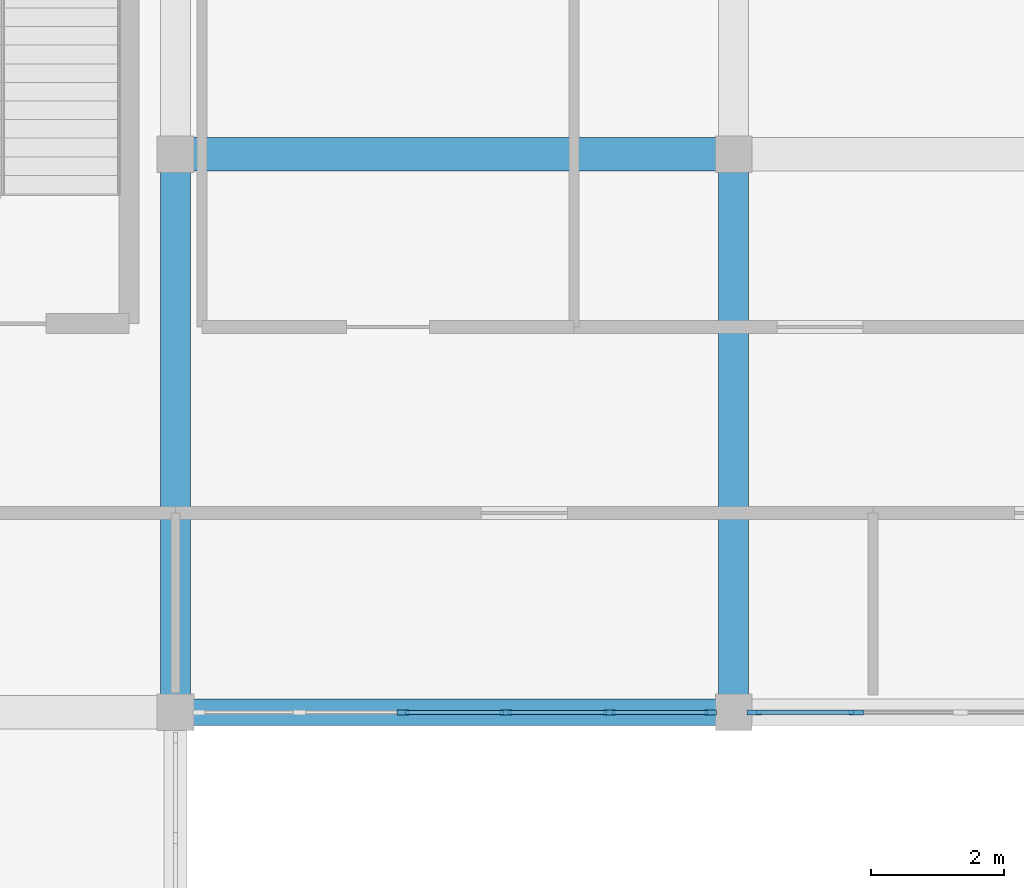
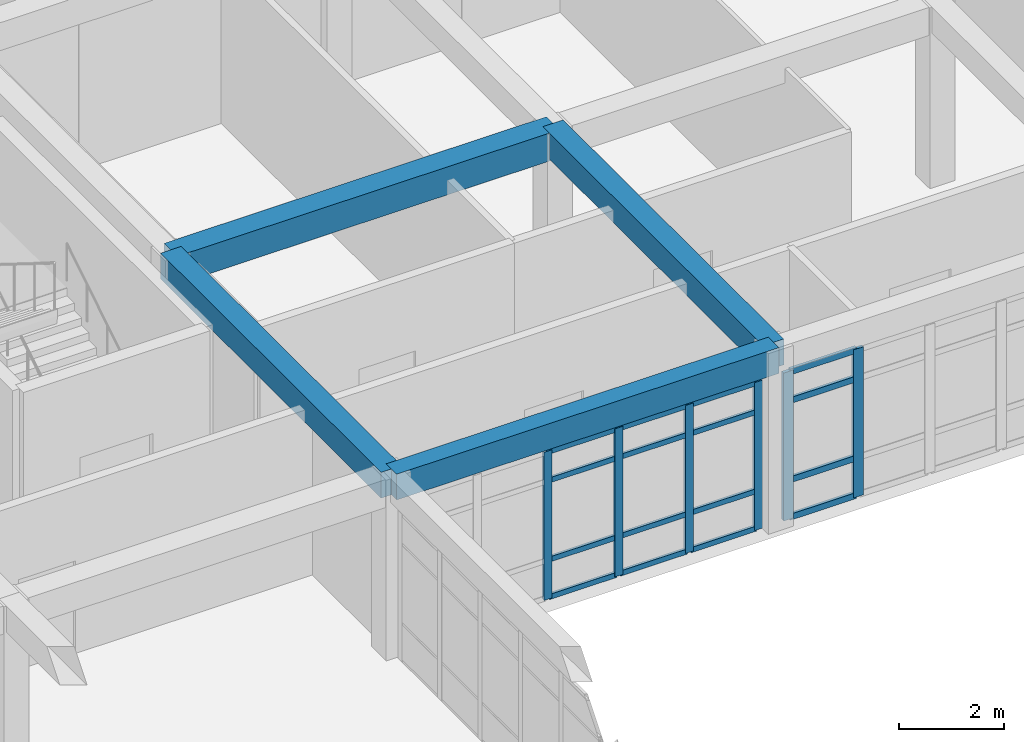
# One storey, part 19 of 77: 22 members, 4 beams, 2 elements without a shape of their own.
"""IFC4 building model written with IfcOpenShell, lengths in metres."""

from ifc_helpers import new_model, si_unit, direction, frame, origin, origin_2d, place, context, subcontext, project, spatial, rectangle, extrude, material, material_profile, profile_set, type_object, element, aggregate, save


model = new_model("IFC4")

# Units and contexts
model_context = context("Model", 3, precision=1e-05, world=origin(), true_north=direction((0.0, 1.0)))
body_context = subcontext(model_context, "Body", "Model", "MODEL_VIEW")
ifc_project = project(units=[si_unit("LENGTHUNIT", "METRE"), si_unit("AREAUNIT", "SQUARE_METRE"), si_unit("VOLUMEUNIT", "CUBIC_METRE"), si_unit("PLANEANGLEUNIT", "RADIAN"), si_unit("MASSUNIT", "GRAM", prefix="KILO")], contexts=[model_context])

# Site, building, storey
site_placement = place(None, origin())
site = spatial("IfcSite", under=ifc_project, at=site_placement, CompositionType="ELEMENT")
building_placement = place(site_placement, origin())
building = spatial("IfcBuilding", under=site, at=building_placement, Name="Varncliffe General Hospital", CompositionType="ELEMENT")
storey_placement = place(building_placement, frame((0.0, 0.0, 16.199951171875)))
storey = spatial("IfcBuildingStorey", under=building, at=storey_placement, Name="L03", CompositionType="ELEMENT", Elevation=16.199951171875)

# Beams
ifc_material_1 = material(Name="Concrete C35/45 (CSA A23.1 35 MPa)", Category="concrete")
ifc_material_profile_1 = material_profile(ifc_material_1, rectangle(XDim=0.5, YDim=0.64990234375, at=origin_2d()), Name="RC 500x650")
ifc_profile_set_1 = profile_set([ifc_material_profile_1], Name="Concrete C35/45 (CSA A23.1 35 MPa)")
beam_type_1 = type_object("IfcBeamType", Name="Beam B29 (Int RC 500x650)", PredefinedType="BEAM", material=ifc_profile_set_1)
beam_1_placement = place(storey_placement, frame((117.60009765625, 91.199951171875, 3.875), z_axis=(1.0, 0.0, 0.0), x_axis=(0.0, 1.0, 0.0)))
element("IfcBeam", 1, at=beam_1_placement, inside=storey, type_object=beam_type_1, Name="L03 Primary Beam B29-98", PredefinedType="BEAM", context=body_context, shape_type="SweptSolid", body=[
    extrude(rectangle(XDim=0.5, YDim=0.64990234375, at=origin_2d()), origin(), (0.0, 0.0, 1.0), 8.39990234375),
])
ifc_material_profile_2 = material_profile(ifc_material_1, rectangle(XDim=0.449951171875, YDim=0.60009765625, at=origin_2d()), Name="RC 450x600")
ifc_profile_set_2 = profile_set([ifc_material_profile_2], Name="Concrete C35/45 (CSA A23.1 35 MPa)")
beam_type_2 = type_object("IfcBeamType", Name="Beam B47 (Int RC 450x600)", PredefinedType="BEAM", material=ifc_profile_set_2)
for number, where, z_axis, x_axis, name in (
    (2, (117.60009765625, 82.800048828125, 3.900146484375), (0.0, 1.0, 0.0), (-1.0, 0.0, 0.0), "L03 Primary Beam B47-329"),
    (3, (126.0, 82.800048828125, 3.900146484375), (0.0, 1.0, 0.0), (-1.0, 0.0, 0.0), "L03 Primary Beam B47-338"),
):
    element("IfcBeam", number, at=place(storey_placement, frame(where, z_axis=z_axis, x_axis=x_axis)), inside=storey, type_object=beam_type_2, Name=name, PredefinedType="BEAM", context=body_context, shape_type="SweptSolid", body=[
        extrude(rectangle(XDim=0.449951171875, YDim=0.60009765625, at=origin_2d()), origin(), (0.0, 0.0, 1.0), 8.39990234375),
    ])

# Curtain wall, members
ifc_material_2 = material(Name="Triple low-E argon insulated vision glazing", Category="glass")
curtain_wall_type_1 = type_object("IfcCurtainWallType", Name="Unitised Glazed Curtain Wall CW23 (7774x3440)", PredefinedType="USERDEFINED", material=ifc_material_2)
curtain_wall_1_placement = place(storey_placement, origin())
curtain_wall_1 = element("IfcCurtainWall", 4, at=curtain_wall_1_placement, inside=storey, type_object=curtain_wall_type_1, Name="L03 Glazed Curtain Wall CW23-172", ObjectType="GLAZED CURTAIN WALL", PredefinedType="USERDEFINED")
ifc_material_3 = material(Name="Dark bronze thermally broken aluminium framing", Category="aluminium")
ifc_material_profile_3 = material_profile(ifc_material_3, rectangle(XDim=0.074951171875, YDim=0.179931640625, at=origin_2d()), Name="ALU 75x180")
ifc_profile_set_3 = profile_set([ifc_material_profile_3], Name="Dark bronze thermally broken aluminium framing")
member_type_1 = type_object("IfcMemberType", Name="Curtain Wall Mullion CM44 (ALU 75x180)", PredefinedType="MULLION", material=ifc_profile_set_3)
member_1_placement = place(storey_placement, frame((125.6494140625, 82.800048828125, 0.0), z_axis=(0.0, 0.0, 1.0), x_axis=(0.0, -1.0, 0.0)))
member_1 = element("IfcMember", 5, at=member_1_placement, type_object=member_type_1, Name="CW23 mullion 1", PredefinedType="MULLION", context=body_context, shape_type="SweptSolid", body=[
    extrude(rectangle(XDim=0.074951171875, YDim=0.179931640625, at=origin_2d()), origin(), (0.0, 0.0, 1.0), 3.43994140625),
])
member_2_placement = place(storey_placement, frame((124.132080078125, 82.800048828125, 0.0), z_axis=(0.0, 0.0, 1.0), x_axis=(0.0, -1.0, 0.0)))
member_2 = element("IfcMember", 6, at=member_2_placement, type_object=member_type_1, Name="CW23 mullion 2", PredefinedType="MULLION", context=body_context, shape_type="SweptSolid", body=[
    extrude(rectangle(XDim=0.074951171875, YDim=0.179931640625, at=origin_2d()), origin(), (0.0, 0.0, 1.0), 3.43994140625),
])
member_3_placement = place(storey_placement, frame((122.577392578125, 82.800048828125, 0.0), z_axis=(0.0, 0.0, 1.0), x_axis=(0.0, -1.0, 0.0)))
member_3 = element("IfcMember", 7, at=member_3_placement, type_object=member_type_1, Name="CW23 mullion 3", PredefinedType="MULLION", context=body_context, shape_type="SweptSolid", body=[
    extrude(rectangle(XDim=0.074951171875, YDim=0.179931640625, at=origin_2d()), origin(), (0.0, 0.0, 1.0), 3.43994140625),
])
member_4_placement = place(storey_placement, frame((121.022705078125, 82.800048828125, 0.0), z_axis=(0.0, 0.0, 1.0), x_axis=(0.0, -1.0, 0.0)))
member_4 = element("IfcMember", 8, at=member_4_placement, type_object=member_type_1, Name="CW23 mullion 4", PredefinedType="MULLION", context=body_context, shape_type="SweptSolid", body=[
    extrude(rectangle(XDim=0.074951171875, YDim=0.179931640625, at=origin_2d()), origin(), (0.0, 0.0, 1.0), 3.43994140625),
])

curtain_wall_type_2 = type_object("IfcCurtainWallType", Name="Unitised Glazed Curtain Wall CW83 (7854x3440)", PredefinedType="USERDEFINED", material=ifc_material_2)
curtain_wall_2_placement = place(storey_placement, origin())
curtain_wall_2 = element("IfcCurtainWall", 9, at=curtain_wall_2_placement, inside=storey, type_object=curtain_wall_type_2, Name="L03 Glazed Curtain Wall CW83-171", ObjectType="GLAZED CURTAIN WALL", PredefinedType="USERDEFINED")
ifc_material_profile_4 = material_profile(ifc_material_3, rectangle(XDim=0.074951171875, YDim=0.219970703125, at=origin_2d()), Name="ALU 75x220")
ifc_profile_set_4 = profile_set([ifc_material_profile_4], Name="Dark bronze thermally broken aluminium framing")
member_type_2 = type_object("IfcMemberType", Name="Curtain Wall Mullion CM74 (ALU 75x220)", PredefinedType="MULLION", material=ifc_profile_set_4)
member_5_placement = place(storey_placement, frame((127.84375, 82.800048828125, 0.0), z_axis=(0.0, 0.0, 1.0), x_axis=(0.0, -1.0, 0.0)))
member_5 = element("IfcMember", 10, at=member_5_placement, type_object=member_type_2, Name="CW83 mullion 5", PredefinedType="MULLION", context=body_context, shape_type="SweptSolid", body=[
    extrude(rectangle(XDim=0.074951171875, YDim=0.219970703125, at=origin_2d()), origin(), (0.0, 0.0, 1.0), 3.43994140625),
])
member_6_placement = place(storey_placement, frame((126.310546875, 82.800048828125, 0.0), z_axis=(0.0, 0.0, 1.0), x_axis=(0.0, -1.0, 0.0)))
member_6 = element("IfcMember", 11, at=member_6_placement, type_object=member_type_2, Name="CW83 mullion 6", PredefinedType="MULLION", context=body_context, shape_type="SweptSolid", body=[
    extrude(rectangle(XDim=0.074951171875, YDim=0.219970703125, at=origin_2d()), origin(), (0.0, 0.0, 1.0), 3.43994140625),
])

# Member
ifc_material_profile_5 = material_profile(ifc_material_3, rectangle(XDim=0.06005859375, YDim=0.1201171875, at=origin_2d()), Name="ALU 60x120")
ifc_profile_set_5 = profile_set([ifc_material_profile_5], Name="Dark bronze thermally broken aluminium framing")
member_type_3 = type_object("IfcMemberType", Name="Curtain Wall Transom CT14 (ALU 60x120)", PredefinedType="USERDEFINED", material=ifc_profile_set_5)
member_7_placement = place(storey_placement, frame((125.612060546875, 82.800048828125, 0.030029296875), z_axis=(-1.0, 0.0, 0.0), x_axis=(0.0, -1.0, 0.0)))
member_7 = element("IfcMember", 12, at=member_7_placement, type_object=member_type_3, Name="CW23 transom 1.1", ObjectType="TRANSOM", PredefinedType="USERDEFINED", context=body_context, shape_type="SweptSolid", body=[
    extrude(rectangle(XDim=0.06005859375, YDim=0.1201171875, at=origin_2d()), origin(), (0.0, 0.0, 1.0), 1.4423828125),
])

member_8_placement = place(storey_placement, frame((125.612060546875, 82.800048828125, 0.900146484375), z_axis=(-1.0, 0.0, 0.0), x_axis=(0.0, -1.0, 0.0)))
member_8 = element("IfcMember", 13, at=member_8_placement, type_object=member_type_3, Name="CW23 transom 1.2", ObjectType="TRANSOM", PredefinedType="USERDEFINED", context=body_context, shape_type="SweptSolid", body=[
    extrude(rectangle(XDim=0.06005859375, YDim=0.1201171875, at=origin_2d()), origin(), (0.0, 0.0, 1.0), 1.4423828125),
])

member_9_placement = place(storey_placement, frame((125.612060546875, 82.800048828125, 2.739990234375), z_axis=(-1.0, 0.0, 0.0), x_axis=(0.0, -1.0, 0.0)))
member_9 = element("IfcMember", 14, at=member_9_placement, type_object=member_type_3, Name="CW23 transom 1.3", ObjectType="TRANSOM", PredefinedType="USERDEFINED", context=body_context, shape_type="SweptSolid", body=[
    extrude(rectangle(XDim=0.06005859375, YDim=0.1201171875, at=origin_2d()), origin(), (0.0, 0.0, 1.0), 1.4423828125),
])

member_10_placement = place(storey_placement, frame((125.612060546875, 82.800048828125, 3.41015625), z_axis=(-1.0, 0.0, 0.0), x_axis=(0.0, -1.0, 0.0)))
member_10 = element("IfcMember", 15, at=member_10_placement, type_object=member_type_3, Name="CW23 transom 1.4", ObjectType="TRANSOM", PredefinedType="USERDEFINED", context=body_context, shape_type="SweptSolid", body=[
    extrude(rectangle(XDim=0.06005859375, YDim=0.1201171875, at=origin_2d()), origin(), (0.0, 0.0, 1.0), 1.4423828125),
])

member_11_placement = place(storey_placement, frame((124.0947265625, 82.800048828125, 0.030029296875), z_axis=(-1.0, 0.0, 0.0), x_axis=(0.0, -1.0, 0.0)))
member_11 = element("IfcMember", 16, at=member_11_placement, type_object=member_type_3, Name="CW23 transom 2.1", ObjectType="TRANSOM", PredefinedType="USERDEFINED", context=body_context, shape_type="SweptSolid", body=[
    extrude(rectangle(XDim=0.06005859375, YDim=0.1201171875, at=origin_2d()), origin(), (0.0, 0.0, 1.0), 1.479736328125),
])

member_12_placement = place(storey_placement, frame((124.0947265625, 82.800048828125, 0.900146484375), z_axis=(-1.0, 0.0, 0.0), x_axis=(0.0, -1.0, 0.0)))
member_12 = element("IfcMember", 17, at=member_12_placement, type_object=member_type_3, Name="CW23 transom 2.2", ObjectType="TRANSOM", PredefinedType="USERDEFINED", context=body_context, shape_type="SweptSolid", body=[
    extrude(rectangle(XDim=0.06005859375, YDim=0.1201171875, at=origin_2d()), origin(), (0.0, 0.0, 1.0), 1.479736328125),
])

member_13_placement = place(storey_placement, frame((124.0947265625, 82.800048828125, 2.739990234375), z_axis=(-1.0, 0.0, 0.0), x_axis=(0.0, -1.0, 0.0)))
member_13 = element("IfcMember", 18, at=member_13_placement, type_object=member_type_3, Name="CW23 transom 2.3", ObjectType="TRANSOM", PredefinedType="USERDEFINED", context=body_context, shape_type="SweptSolid", body=[
    extrude(rectangle(XDim=0.06005859375, YDim=0.1201171875, at=origin_2d()), origin(), (0.0, 0.0, 1.0), 1.479736328125),
])

member_14_placement = place(storey_placement, frame((124.0947265625, 82.800048828125, 3.41015625), z_axis=(-1.0, 0.0, 0.0), x_axis=(0.0, -1.0, 0.0)))
member_14 = element("IfcMember", 19, at=member_14_placement, type_object=member_type_3, Name="CW23 transom 2.4", ObjectType="TRANSOM", PredefinedType="USERDEFINED", context=body_context, shape_type="SweptSolid", body=[
    extrude(rectangle(XDim=0.06005859375, YDim=0.1201171875, at=origin_2d()), origin(), (0.0, 0.0, 1.0), 1.479736328125),
])

member_15_placement = place(storey_placement, frame((122.539794921875, 82.800048828125, 0.030029296875), z_axis=(-1.0, 0.0, 0.0), x_axis=(0.0, -1.0, 0.0)))
member_15 = element("IfcMember", 20, at=member_15_placement, type_object=member_type_3, Name="CW23 transom 3.1", ObjectType="TRANSOM", PredefinedType="USERDEFINED", context=body_context, shape_type="SweptSolid", body=[
    extrude(rectangle(XDim=0.06005859375, YDim=0.1201171875, at=origin_2d()), origin(), (0.0, 0.0, 1.0), 1.479736328125),
])

member_16_placement = place(storey_placement, frame((122.539794921875, 82.800048828125, 0.900146484375), z_axis=(-1.0, 0.0, 0.0), x_axis=(0.0, -1.0, 0.0)))
member_16 = element("IfcMember", 21, at=member_16_placement, type_object=member_type_3, Name="CW23 transom 3.2", ObjectType="TRANSOM", PredefinedType="USERDEFINED", context=body_context, shape_type="SweptSolid", body=[
    extrude(rectangle(XDim=0.06005859375, YDim=0.1201171875, at=origin_2d()), origin(), (0.0, 0.0, 1.0), 1.479736328125),
])

member_17_placement = place(storey_placement, frame((122.539794921875, 82.800048828125, 2.739990234375), z_axis=(-1.0, 0.0, 0.0), x_axis=(0.0, -1.0, 0.0)))
member_17 = element("IfcMember", 22, at=member_17_placement, type_object=member_type_3, Name="CW23 transom 3.3", ObjectType="TRANSOM", PredefinedType="USERDEFINED", context=body_context, shape_type="SweptSolid", body=[
    extrude(rectangle(XDim=0.06005859375, YDim=0.1201171875, at=origin_2d()), origin(), (0.0, 0.0, 1.0), 1.479736328125),
])

member_18_placement = place(storey_placement, frame((122.539794921875, 82.800048828125, 3.41015625), z_axis=(-1.0, 0.0, 0.0), x_axis=(0.0, -1.0, 0.0)))
member_18 = element("IfcMember", 23, at=member_18_placement, type_object=member_type_3, Name="CW23 transom 3.4", ObjectType="TRANSOM", PredefinedType="USERDEFINED", context=body_context, shape_type="SweptSolid", body=[
    extrude(rectangle(XDim=0.06005859375, YDim=0.1201171875, at=origin_2d()), origin(), (0.0, 0.0, 1.0), 1.479736328125),
])

aggregate(curtain_wall_1, [member_1, member_2, member_3, member_4, member_7, member_8, member_9, member_10, member_11, member_12, member_13, member_14, member_15, member_16, member_17, member_18])

ifc_material_profile_6 = material_profile(ifc_material_3, rectangle(XDim=0.06494140625, YDim=0.139892578125, at=origin_2d()), Name="ALU 65x140")
ifc_profile_set_6 = profile_set([ifc_material_profile_6], Name="Dark bronze thermally broken aluminium framing")
member_type_4 = type_object("IfcMemberType", Name="Curtain Wall Transom CT69 (ALU 65x140)", PredefinedType="USERDEFINED", material=ifc_profile_set_6)
member_19_placement = place(storey_placement, frame((127.806396484375, 82.800048828125, 0.032470703125), z_axis=(-1.0, 0.0, 0.0), x_axis=(0.0, -1.0, 0.0)))
member_19 = element("IfcMember", 24, at=member_19_placement, type_object=member_type_4, Name="CW83 transom 5.1", ObjectType="TRANSOM", PredefinedType="USERDEFINED", context=body_context, shape_type="SweptSolid", body=[
    extrude(rectangle(XDim=0.06494140625, YDim=0.139892578125, at=origin_2d()), origin(), (0.0, 0.0, 1.0), 1.45849609375),
])

member_20_placement = place(storey_placement, frame((127.806396484375, 82.800048828125, 0.900146484375), z_axis=(-1.0, 0.0, 0.0), x_axis=(0.0, -1.0, 0.0)))
member_20 = element("IfcMember", 25, at=member_20_placement, type_object=member_type_4, Name="CW83 transom 5.2", ObjectType="TRANSOM", PredefinedType="USERDEFINED", context=body_context, shape_type="SweptSolid", body=[
    extrude(rectangle(XDim=0.06494140625, YDim=0.139892578125, at=origin_2d()), origin(), (0.0, 0.0, 1.0), 1.45849609375),
])

member_21_placement = place(storey_placement, frame((127.806396484375, 82.800048828125, 2.739990234375), z_axis=(-1.0, 0.0, 0.0), x_axis=(0.0, -1.0, 0.0)))
member_21 = element("IfcMember", 26, at=member_21_placement, type_object=member_type_4, Name="CW83 transom 5.3", ObjectType="TRANSOM", PredefinedType="USERDEFINED", context=body_context, shape_type="SweptSolid", body=[
    extrude(rectangle(XDim=0.06494140625, YDim=0.139892578125, at=origin_2d()), origin(), (0.0, 0.0, 1.0), 1.45849609375),
])

member_22_placement = place(storey_placement, frame((127.806396484375, 82.800048828125, 3.407470703125), z_axis=(-1.0, 0.0, 0.0), x_axis=(0.0, -1.0, 0.0)))
member_22 = element("IfcMember", 27, at=member_22_placement, type_object=member_type_4, Name="CW83 transom 5.4", ObjectType="TRANSOM", PredefinedType="USERDEFINED", context=body_context, shape_type="SweptSolid", body=[
    extrude(rectangle(XDim=0.06494140625, YDim=0.139892578125, at=origin_2d()), origin(), (0.0, 0.0, 1.0), 1.45849609375),
])

aggregate(curtain_wall_2, [member_5, member_6, member_19, member_20, member_21, member_22])

# Beam
ifc_material_profile_7 = material_profile(ifc_material_1, rectangle(XDim=0.39990234375, YDim=0.60009765625, at=origin_2d()), Name="RC 400x600")
ifc_profile_set_7 = profile_set([ifc_material_profile_7], Name="Concrete C35/45 (CSA A23.1 35 MPa)")
beam_type_3 = type_object("IfcBeamType", Name="Spandrel SP58 (Ext RC 400x600B)", PredefinedType="SPANDREL", material=ifc_profile_set_7)
beam_2_placement = place(storey_placement, frame((117.60009765625, 82.800048828125, 3.900146484375), z_axis=(1.0, 0.0, 0.0), x_axis=(0.0, 1.0, 0.0)))
element("IfcBeam", 28, at=beam_2_placement, inside=storey, type_object=beam_type_3, Name="L03 Spandrel Beam SP58-79", PredefinedType="SPANDREL", context=body_context, shape_type="SweptSolid", body=[
    extrude(rectangle(XDim=0.39990234375, YDim=0.60009765625, at=origin_2d()), origin(), (0.0, 0.0, 1.0), 8.39990234375),
])

save(model, "model.ifc")
